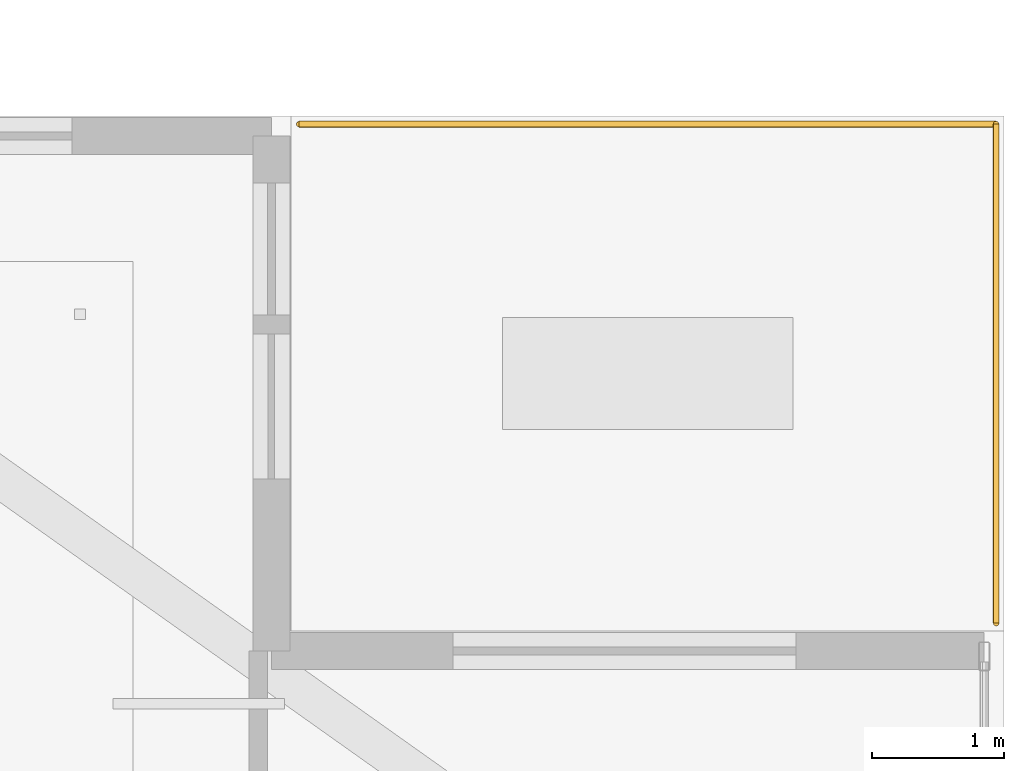
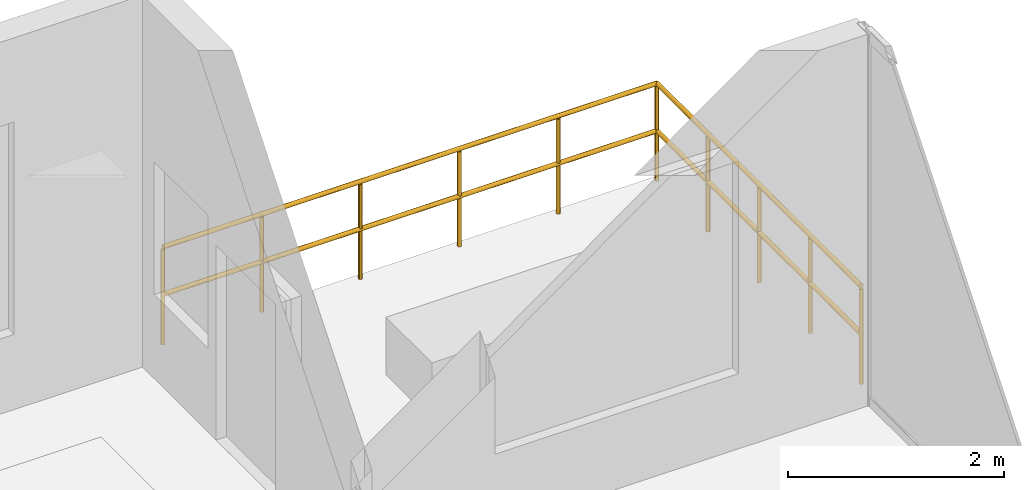
# One storey, part 33 of 33: 2 railings.
"""IFC4 building model written with IfcOpenShell, lengths in metres."""

from ifc_helpers import new_model, si_unit, direction, frame, origin, origin_2d, place, context, subcontext, project, spatial, circle, extrude, material, type_object, element, save


model = new_model("IFC4")

# Units and contexts
model_context = context("Model", 3, precision=1e-05, world=origin(), true_north=direction((0.0, 1.0)))
body_context = subcontext(model_context, "Body", "Model", "MODEL_VIEW")
ifc_project = project(units=[si_unit("LENGTHUNIT", "METRE"), si_unit("AREAUNIT", "SQUARE_METRE"), si_unit("VOLUMEUNIT", "CUBIC_METRE"), si_unit("PLANEANGLEUNIT", "RADIAN"), si_unit("MASSUNIT", "GRAM", prefix="KILO")], contexts=[model_context])

# Site, building, storey
site_placement = place(None, origin())
site = spatial("IfcSite", under=ifc_project, at=site_placement, CompositionType="ELEMENT")
building_placement = place(site_placement, origin())
building = spatial("IfcBuilding", under=site, at=building_placement, Name="Tarnavaz Court Tower", CompositionType="ELEMENT")
storey_placement = place(building_placement, frame((0.0, 0.0, 177.300048828125)))
storey = spatial("IfcBuildingStorey", under=building, at=storey_placement, Name="L48", CompositionType="ELEMENT", Elevation=177.300048828125)

# Railings
ifc_material = material(Name="Anodised Aluminium 6063-T6 and Laminated Safety Glass", Category="aluminium")
railing_type = type_object("IfcRailingType", Name="RL-BAL-1120", PredefinedType="BALUSTRADE", material=ifc_material)
railing_1_placement = place(storey_placement, frame((25.139892578125, 17.4599609375, 0.0)))
element("IfcRailing", 1, at=railing_1_placement, inside=storey, type_object=railing_type, Name="L48 Terrace 1 E Perimeter Balustrade", PredefinedType="BALUSTRADE", context=body_context, shape_type="SweptSolid", body=[
    extrude(circle(Radius=0.02392578125, at=origin_2d()), frame((0.0, 0.0, 1.09619140625), z_axis=(0.0, 1.0, 0.0), x_axis=(-1.0, 0.0, 0.0)), (0.0, 0.0, 1.0), 3.780029296875),
    extrude(circle(Radius=0.02392578125, at=origin_2d()), frame((0.0, 0.0, 0.56005859375), z_axis=(0.0, 1.0, 0.0), x_axis=(-1.0, 0.0, 0.0)), (0.0, 0.0, 1.0), 3.780029296875),
    extrude(circle(Radius=0.02099609375, at=origin_2d()), origin(), (0.0, 0.0, 1.0), 1.072021484375),
    extrude(circle(Radius=0.02099609375, at=origin_2d()), frame((0.0, 0.945068359375, 0.0)), (0.0, 0.0, 1.0), 1.072021484375),
    extrude(circle(Radius=0.02099609375, at=origin_2d()), frame((0.0, 1.89013671875, 0.0)), (0.0, 0.0, 1.0), 1.072021484375),
    extrude(circle(Radius=0.02099609375, at=origin_2d()), frame((0.0, 2.8349609375, 0.0)), (0.0, 0.0, 1.0), 1.072021484375),
    extrude(circle(Radius=0.02099609375, at=origin_2d()), frame((0.0, 3.780029296875, 0.0)), (0.0, 0.0, 1.0), 1.072021484375),
])
railing_2_placement = place(storey_placement, frame((25.139892578125, 21.239990234375, 0.0)))
element("IfcRailing", 2, at=railing_2_placement, inside=storey, type_object=railing_type, Name="L48 Terrace 1 N Perimeter Balustrade", PredefinedType="BALUSTRADE", context=body_context, shape_type="SweptSolid", body=[
    extrude(circle(Radius=0.02392578125, at=origin_2d()), frame((0.0, 0.0, 1.09619140625), z_axis=(-1.0, 0.0, 0.0), x_axis=(0.0, -1.0, 0.0)), (0.0, 0.0, 1.0), 5.27978515625),
    extrude(circle(Radius=0.02392578125, at=origin_2d()), frame((0.0, 0.0, 0.56005859375), z_axis=(-1.0, 0.0, 0.0), x_axis=(0.0, -1.0, 0.0)), (0.0, 0.0, 1.0), 5.27978515625),
    extrude(circle(Radius=0.02099609375, at=origin_2d()), origin(), (0.0, 0.0, 1.0), 1.072021484375),
    extrude(circle(Radius=0.02099609375, at=origin_2d()), frame((-1.055908203125, 0.0, 0.0)), (0.0, 0.0, 1.0), 1.072021484375),
    extrude(circle(Radius=0.02099609375, at=origin_2d()), frame((-2.11181640625, 0.0, 0.0)), (0.0, 0.0, 1.0), 1.072021484375),
    extrude(circle(Radius=0.02099609375, at=origin_2d()), frame((-3.16796875, 0.0, 0.0)), (0.0, 0.0, 1.0), 1.072021484375),
    extrude(circle(Radius=0.02099609375, at=origin_2d()), frame((-4.223876953125, 0.0, 0.0)), (0.0, 0.0, 1.0), 1.072021484375),
    extrude(circle(Radius=0.02099609375, at=origin_2d()), frame((-5.27978515625, 0.0, 0.0)), (0.0, 0.0, 1.0), 1.072021484375),
])

save(model, "model.ifc")
